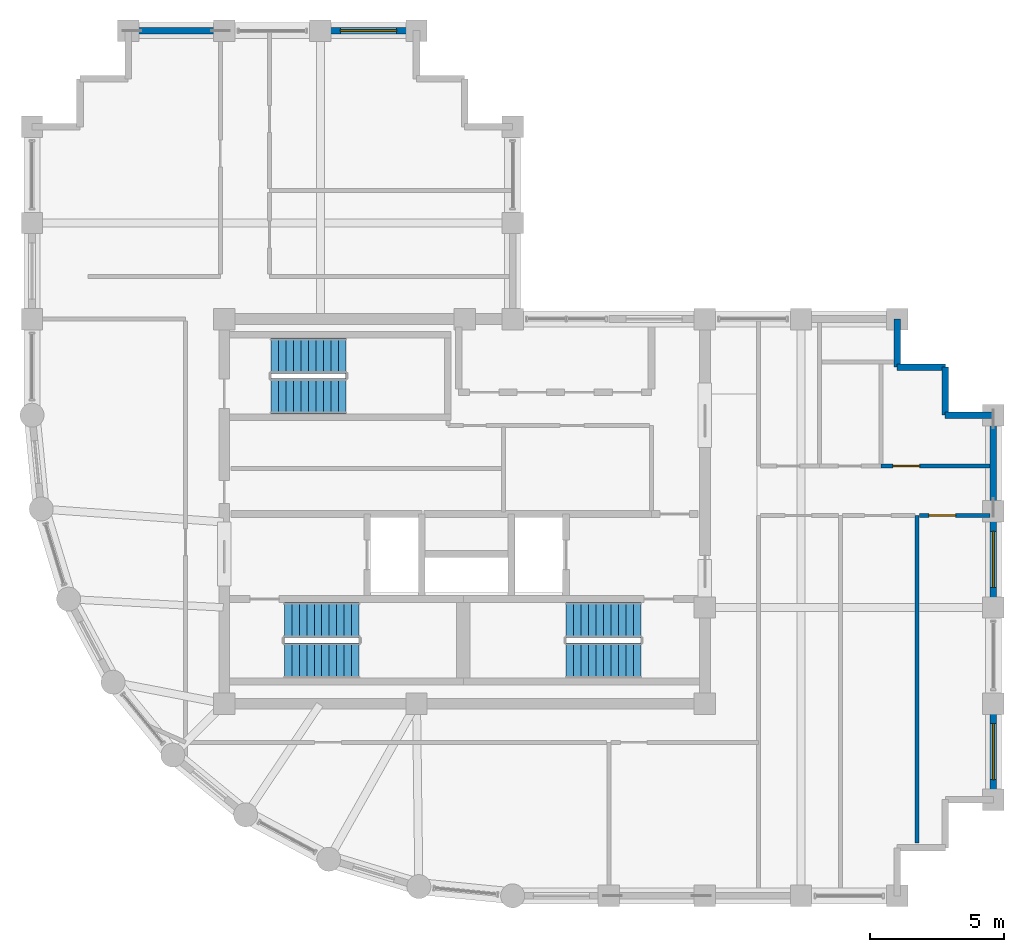
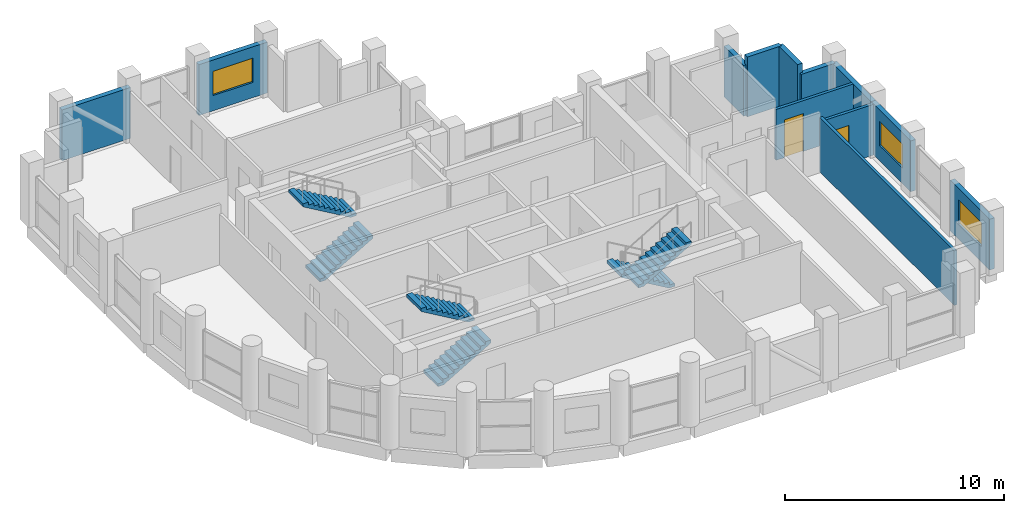
# One storey, part 16 of 17: 12 walls, 6 stair flights, 3 windows, 2 doors, 5 openings, 3 elements without a shape of their own.
"""IFC4 building model written with IfcOpenShell, lengths in metres."""

from ifc_helpers import new_model, si_unit, direction, frame, frame_2d, origin, place, context, subcontext, project, spatial, polyline, rectangle, outline, extrude, material, layer, layer_set, type_object, element, fill, aggregate, save


model = new_model("IFC4")

# Units and contexts
model_context = context("Model", 3, precision=1e-05, world=origin(), true_north=direction((0.0, 1.0)))
body_context = subcontext(model_context, "Body", "Model", "MODEL_VIEW")
ifc_project = project(units=[si_unit("LENGTHUNIT", "METRE"), si_unit("AREAUNIT", "SQUARE_METRE"), si_unit("VOLUMEUNIT", "CUBIC_METRE"), si_unit("PLANEANGLEUNIT", "RADIAN"), si_unit("MASSUNIT", "GRAM", prefix="KILO")], contexts=[model_context])

# Site, building, storey
site_placement = place(None, origin())
site = spatial("IfcSite", under=ifc_project, at=site_placement, CompositionType="ELEMENT")
building_placement = place(site_placement, origin())
building = spatial("IfcBuilding", under=site, at=building_placement, Name="Solnavia Interchange Tower", CompositionType="ELEMENT")
storey_placement = place(building_placement, frame((0.0, 0.0, 291.800048828125)))
storey = spatial("IfcBuildingStorey", under=building, at=storey_placement, Name="L74", CompositionType="ELEMENT", Elevation=291.800048828125)

# Wall, opening, window
ifc_material_1 = material(Name="Concrete C40/50", Category="concrete")
ifc_layer_1 = layer(ifc_material_1, 0.25)
ifc_layer_set_1 = layer_set([ifc_layer_1], Name="Concrete C40/50")
wall_type_1 = type_object("IfcWallType", Name="Wall-ExtSpandrel-250", PredefinedType="STANDARD", material=ifc_layer_set_1)
wall_1_placement = place(storey_placement, frame((43.199951171875, 10.800048828125, 0.0), z_axis=(0.0, 0.0, 1.0), x_axis=(0.0, -1.0, 0.0)))
wall_1 = element("IfcWall", 1, at=wall_1_placement, inside=storey, type_object=wall_type_1, Name="EXW-L74-09 Exterior precast spandrel wall", PredefinedType="STANDARD", context=body_context, shape_type="SweptSolid", body=[
    extrude(rectangle(XDim=3.60009765625, YDim=0.25, at=frame_2d((1.800048828125, 0.0))), origin(), (0.0, 0.0, 1.0), 2.829833984375),
])
opening_1_placement = place(wall_1_placement, frame((0.75, 0.0, 0.85009765625)))
opening_1 = element("IfcOpeningElement", 2, at=opening_1_placement, cuts=wall_1, Name="Opening WIN-01", PredefinedType="OPENING", context=body_context, shape_type="SweptSolid", body=[
    extrude(rectangle(XDim=2.10009765625, YDim=1.35009765625, at=frame_2d((1.050048828125, 0.675048828125))), frame((0.0, 0.135009765625, 0.0), z_axis=(0.0, -1.0, 0.0), x_axis=(1.0, 0.0, 0.0)), (0.0, 0.0, 1.0), 0.27001953125),
])
ifc_material_2 = material(Name="Thermal-Break Aluminium & Low-E Glass", Category="aluminium")
window_type = type_object("IfcWindowType", Name="Window-Ribbon-2100x1350", PartitioningType="SINGLE_PANEL", PredefinedType="WINDOW", material=ifc_material_2)
window_1_placement = place(opening_1_placement, origin())
window_1 = element("IfcWindow", 3, at=window_1_placement, inside=storey, type_object=window_type, Name="WIN-L74-09 Facade ribbon window", OverallHeight=1.35009765625, OverallWidth=2.10009765625, PartitioningType="SINGLE_PANEL", PredefinedType="WINDOW", context=body_context, shape_type="SweptSolid", body=[
    extrude(rectangle(XDim=2.10009765625, YDim=1.35009765625, at=frame_2d((1.050048828125, 0.675048828125))), frame((0.0, 0.030029296875, 0.0), z_axis=(0.0, -1.0, 0.0), x_axis=(1.0, 0.0, 0.0)), (0.0, 0.0, 1.0), 0.06005859375),
])
fill(opening_1, window_1)

wall_2_placement = place(storey_placement, frame((43.199951171875, 18.0, 0.0), z_axis=(0.0, 0.0, 1.0), x_axis=(0.0, -1.0, 0.0)))
wall_2 = element("IfcWall", 4, at=wall_2_placement, inside=storey, type_object=wall_type_1, Name="EXW-L74-11 Exterior precast spandrel wall", PredefinedType="STANDARD", context=body_context, shape_type="SweptSolid", body=[
    extrude(rectangle(XDim=3.60009765625, YDim=0.25, at=frame_2d((1.800048828125, 0.0))), origin(), (0.0, 0.0, 1.0), 2.829833984375),
])
opening_2_placement = place(wall_2_placement, frame((0.75, 0.0, 0.85009765625)))
opening_2 = element("IfcOpeningElement", 5, at=opening_2_placement, cuts=wall_2, Name="Opening WIN-01", PredefinedType="OPENING", context=body_context, shape_type="SweptSolid", body=[
    extrude(rectangle(XDim=2.10009765625, YDim=1.35009765625, at=frame_2d((1.050048828125, 0.675048828125))), frame((0.0, 0.135009765625, 0.0), z_axis=(0.0, -1.0, 0.0), x_axis=(1.0, 0.0, 0.0)), (0.0, 0.0, 1.0), 0.27001953125),
])
window_2_placement = place(opening_2_placement, origin())
window_2 = element("IfcWindow", 6, at=window_2_placement, inside=storey, type_object=window_type, Name="WIN-L74-11 Facade ribbon window", OverallHeight=1.35009765625, OverallWidth=2.10009765625, PartitioningType="SINGLE_PANEL", PredefinedType="WINDOW", context=body_context, shape_type="SweptSolid", body=[
    extrude(rectangle(XDim=2.10009765625, YDim=1.35009765625, at=frame_2d((1.050048828125, 0.675048828125))), frame((0.0, 0.030029296875, 0.0), z_axis=(0.0, -1.0, 0.0), x_axis=(1.0, 0.0, 0.0)), (0.0, 0.0, 1.0), 0.06005859375),
])
fill(opening_2, window_2)

# Walls
wall_3_placement = place(storey_placement, frame((43.199951171875, 21.60009765625, 0.0), z_axis=(0.0, 0.0, 1.0), x_axis=(0.0, -1.0, 0.0)))
element("IfcWall", 7, at=wall_3_placement, inside=storey, type_object=wall_type_1, Name="EXW-L74-12 Exterior precast spandrel wall", PredefinedType="STANDARD", context=body_context, shape_type="SweptSolid", body=[
    extrude(rectangle(XDim=3.60009765625, YDim=0.25, at=frame_2d((1.800048828125, 0.0))), origin(), (0.0, 0.0, 1.0), 2.829833984375),
])
wall_4_placement = place(storey_placement, frame((41.39990234375, 21.60009765625, 0.0), z_axis=(0.0, 0.0, 1.0), x_axis=(1.0, 0.0, 0.0)))
element("IfcWall", 8, at=wall_4_placement, inside=storey, type_object=wall_type_1, Name="EXW-L74-13 Exterior precast spandrel wall", PredefinedType="STANDARD", context=body_context, shape_type="SweptSolid", body=[
    extrude(rectangle(XDim=1.800048828125, YDim=0.25, at=frame_2d((0.89990234375, 0.0))), origin(), (0.0, 0.0, 1.0), 2.829833984375),
])
for number, where, z_axis, x_axis, name in (
    (9, (41.39990234375, 23.39990234375, 0.0), (0.0, 0.0, 1.0), (0.0, -1.0, 0.0), "EXW-L74-14 Exterior precast spandrel wall"),
    (10, (39.60009765625, 23.39990234375, 0.0), (0.0, 0.0, 1.0), (1.0, 0.0, 0.0), "EXW-L74-15 Exterior precast spandrel wall"),
):
    element("IfcWall", number, at=place(storey_placement, frame(where, z_axis=z_axis, x_axis=x_axis)), inside=storey, type_object=wall_type_1, Name=name, PredefinedType="STANDARD", context=body_context, shape_type="SweptSolid", body=[
        extrude(rectangle(XDim=1.7998046875, YDim=0.25, at=frame_2d((0.89990234375, 0.0))), origin(), (0.0, 0.0, 1.0), 3.3349609375),
    ])
wall_5_placement = place(storey_placement, frame((39.60009765625, 25.199951171875, 0.0), z_axis=(0.0, 0.0, 1.0), x_axis=(0.0, -1.0, 0.0)))
element("IfcWall", 11, at=wall_5_placement, inside=storey, type_object=wall_type_1, Name="EXW-L74-16 Exterior precast spandrel wall", PredefinedType="STANDARD", context=body_context, shape_type="SweptSolid", body=[
    extrude(rectangle(XDim=1.800048828125, YDim=0.25, at=frame_2d((0.89990234375, 0.0))), origin(), (0.0, 0.0, 1.0), 2.829833984375),
])

# Wall, opening, window
wall_6_placement = place(storey_placement, frame((18.0, 36.0, 0.0), z_axis=(0.0, 0.0, 1.0), x_axis=(1.0, 0.0, 0.0)))
wall_6 = element("IfcWall", 12, at=wall_6_placement, inside=storey, type_object=wall_type_1, Name="EXW-L74-27 Exterior precast spandrel wall", PredefinedType="STANDARD", context=body_context, shape_type="SweptSolid", body=[
    extrude(rectangle(XDim=3.60009765625, YDim=0.25, at=frame_2d((1.800048828125, 0.0))), origin(), (0.0, 0.0, 1.0), 2.829833984375),
])
opening_3_placement = place(wall_6_placement, frame((0.75, 0.0, 0.85009765625)))
opening_3 = element("IfcOpeningElement", 13, at=opening_3_placement, cuts=wall_6, Name="Opening WIN-01", PredefinedType="OPENING", context=body_context, shape_type="SweptSolid", body=[
    extrude(rectangle(XDim=2.10009765625, YDim=1.35009765625, at=frame_2d((1.050048828125, 0.675048828125))), frame((0.0, 0.135009765625, 0.0), z_axis=(0.0, -1.0, 0.0), x_axis=(1.0, 0.0, 0.0)), (0.0, 0.0, 1.0), 0.27001953125),
])
window_3_placement = place(opening_3_placement, origin())
window_3 = element("IfcWindow", 14, at=window_3_placement, inside=storey, type_object=window_type, Name="WIN-L74-27 Facade ribbon window", OverallHeight=1.35009765625, OverallWidth=2.10009765625, PartitioningType="SINGLE_PANEL", PredefinedType="WINDOW", context=body_context, shape_type="SweptSolid", body=[
    extrude(rectangle(XDim=2.10009765625, YDim=1.35009765625, at=frame_2d((1.050048828125, 0.675048828125))), frame((0.0, 0.030029296875, 0.0), z_axis=(0.0, -1.0, 0.0), x_axis=(1.0, 0.0, 0.0)), (0.0, 0.0, 1.0), 0.06005859375),
])
fill(opening_3, window_3)

# Walls
wall_7_placement = place(storey_placement, frame((10.800048828125, 36.0, 0.0), z_axis=(0.0, 0.0, 1.0), x_axis=(1.0, 0.0, 0.0)))
element("IfcWall", 15, at=wall_7_placement, inside=storey, type_object=wall_type_1, Name="EXW-L74-29 Exterior precast spandrel wall", PredefinedType="STANDARD", context=body_context, shape_type="SweptSolid", body=[
    extrude(rectangle(XDim=3.599853515625, YDim=0.25, at=frame_2d((1.7998046875, 0.0))), origin(), (0.0, 0.0, 1.0), 2.829833984375),
])
ifc_material_3 = material(Name="Gypsum Plasterboard & Steel Stud", Category="steel")
ifc_layer_2 = layer(ifc_material_3, 0.14990234375)
ifc_layer_set_2 = layer_set([ifc_layer_2], Name="Gypsum Plasterboard & Steel Stud")
wall_type_2 = type_object("IfcWallType", Name="Wall-Partition-150", PredefinedType="PARTITIONING", material=ifc_layer_set_2)
wall_8_placement = place(storey_placement, frame((40.35009765625, 5.580078125, 0.0), z_axis=(0.0, 0.0, 1.0), x_axis=(0.0, 1.0, 0.0)))
element("IfcWall", 16, at=wall_8_placement, inside=storey, type_object=wall_type_2, Name="PTW-L74-16 Interior partition wall", PredefinedType="PARTITIONING", context=body_context, shape_type="SweptSolid", body=[
    extrude(rectangle(XDim=12.27001953125, YDim=0.14990234375, at=frame_2d((6.135009765625, 0.0))), origin(), (0.0, 0.0, 1.0), 3.030029296875),
])

# Wall, opening, door
wall_9_placement = place(storey_placement, frame((40.428955078125, 17.85009765625, 0.0), z_axis=(0.0, 0.0, 1.0), x_axis=(1.0, 0.0, 0.0)))
wall_9 = element("IfcWall", 17, at=wall_9_placement, inside=storey, type_object=wall_type_2, Name="PTW-L74-18 Interior partition wall", PredefinedType="PARTITIONING", context=body_context, shape_type="SweptSolid", body=[
    extrude(rectangle(XDim=2.64208984375, YDim=0.14990234375, at=frame_2d((1.321044921875, 0.0))), origin(), (0.0, 0.0, 1.0), 2.829833984375),
])
opening_4_placement = place(wall_9_placement, frame((0.35595703125, 0.0, 0.0)))
opening_4 = element("IfcOpeningElement", 18, at=opening_4_placement, cuts=wall_9, Name="Opening DR-07", PredefinedType="OPENING", context=body_context, shape_type="SweptSolid", body=[
    extrude(rectangle(XDim=1.0, YDim=2.10009765625, at=frame_2d((0.5, 1.050048828125))), frame((0.0, 0.0849609375, 0.0), z_axis=(0.0, -1.0, 0.0), x_axis=(1.0, 0.0, 0.0)), (0.0, 0.0, 1.0), 0.169921875),
])
ifc_material_4 = material(Name="Timber & Acoustic Glazed Office Door", Category="wood")
door_type = type_object("IfcDoorType", Name="Door-Office-1000x2100", OperationType="SINGLE_SWING_RIGHT", PredefinedType="DOOR", material=ifc_material_4)
door_1_placement = place(opening_4_placement, origin())
door_1 = element("IfcDoor", 19, at=door_1_placement, inside=storey, type_object=door_type, Name="DR-L74-08 Interior room door", OperationType="SINGLE_SWING_LEFT", OverallHeight=2.10009765625, OverallWidth=1.0, PredefinedType="DOOR", context=body_context, shape_type="SweptSolid", body=[
    extrude(rectangle(XDim=1.0, YDim=2.10009765625, at=frame_2d((0.5, 1.050048828125))), frame((0.0, 0.02490234375, 0.0), z_axis=(0.0, -1.0, 0.0), x_axis=(1.0, 0.0, 0.0)), (0.0, 0.0, 1.0), 0.050048828125),
])
fill(opening_4, door_1)

wall_10_placement = place(storey_placement, frame((39.0, 19.699951171875, 0.0), z_axis=(0.0, 0.0, 1.0), x_axis=(1.0, 0.0, 0.0)))
wall_10 = element("IfcWall", 20, at=wall_10_placement, inside=storey, type_object=wall_type_2, Name="PTW-L74-19 Interior partition wall", PredefinedType="PARTITIONING", context=body_context, shape_type="SweptSolid", body=[
    extrude(rectangle(XDim=4.071044921875, YDim=0.14990234375, at=frame_2d((2.03564453125, 0.0))), origin(), (0.0, 0.0, 1.0), 2.829833984375),
])
opening_5_placement = place(wall_10_placement, frame((0.43798828125, 0.0, 0.0)))
opening_5 = element("IfcOpeningElement", 21, at=opening_5_placement, cuts=wall_10, Name="Opening DR-07", PredefinedType="OPENING", context=body_context, shape_type="SweptSolid", body=[
    extrude(rectangle(XDim=1.0, YDim=2.10009765625, at=frame_2d((0.5, 1.050048828125))), frame((0.0, 0.0849609375, 0.0), z_axis=(0.0, -1.0, 0.0), x_axis=(1.0, 0.0, 0.0)), (0.0, 0.0, 1.0), 0.169921875),
])
door_2_placement = place(opening_5_placement, origin())
door_2 = element("IfcDoor", 22, at=door_2_placement, inside=storey, type_object=door_type, Name="DR-L74-09 Interior room door", OperationType="SINGLE_SWING_RIGHT", OverallHeight=2.10009765625, OverallWidth=1.0, PredefinedType="DOOR", context=body_context, shape_type="SweptSolid", body=[
    extrude(rectangle(XDim=1.0, YDim=2.10009765625, at=frame_2d((0.5, 1.050048828125))), frame((0.0, 0.02490234375, 0.0), z_axis=(0.0, -1.0, 0.0), x_axis=(1.0, 0.0, 0.0)), (0.0, 0.0, 1.0), 0.050048828125),
])
fill(opening_5, door_2)

# Stair, stair flights
stair_type = type_object("IfcStairType", Name="Stair-Dogleg-RC", PredefinedType="HALF_TURN_STAIR", material=ifc_material_1)
stair_1_placement = place(storey_placement, origin())
stair_1 = element("IfcStair", 23, at=stair_1_placement, inside=storey, type_object=stair_type, Name="L74 Core exit stair 1", PredefinedType="HALF_TURN_STAIR")
stair_flight_type = type_object("IfcStairFlightType", Name="StairFlight-RC-150", PredefinedType="STRAIGHT", material=ifc_material_1)
stair_flight_1_placement = place(storey_placement, frame((16.64990234375, 12.409912109375, 0.0), z_axis=(0.0, 0.0, 1.0), x_axis=(1.0, 0.0, 0.0)))
stair_flight_1 = element("IfcStairFlight", 24, at=stair_flight_1_placement, type_object=stair_flight_type, Name="ST-1 flight 1", NumberOfRisers=11, NumberOfTreads=10, PredefinedType="STRAIGHT", RiserHeight=0.163636364, TreadLength=0.28, context=body_context, shape_type="SweptSolid", body=[
    extrude(outline(polyline([(0.0, 0.0), (0.0, 0.16357421875), (0.280029296875, 0.16357421875), (0.280029296875, 0.327392578125), (0.56005859375, 0.327392578125), (0.56005859375, 0.490966796875), (0.840087890625, 0.490966796875), (0.840087890625, 0.654541015625), (1.1201171875, 0.654541015625), (1.1201171875, 0.818115234375), (1.39990234375, 0.818115234375), (1.39990234375, 0.98193359375), (1.679931640625, 0.98193359375), (1.679931640625, 1.1455078125), (1.9599609375, 1.1455078125), (1.9599609375, 1.30908203125), (2.239990234375, 1.30908203125), (2.239990234375, 1.47265625), (2.52001953125, 1.47265625), (2.52001953125, 1.636474609375), (2.800048828125, 1.636474609375), (2.800048828125, 1.800048828125), (2.800048828125, 1.462646484375), (0.297119140625, 0.0), (0.0, 0.0)])), frame((0.0, 0.66015625, 0.0), z_axis=(0.0, -1.0, 0.0), x_axis=(1.0, 0.0, 0.0)), (0.0, 0.0, 1.0), 1.320068359375),
])
stair_flight_2_placement = place(storey_placement, frame((19.449951171875, 13.929931640625, 1.800048828125), z_axis=(0.0, 0.0, 1.0), x_axis=(-1.0, 0.0, 0.0)))
stair_flight_2 = element("IfcStairFlight", 25, at=stair_flight_2_placement, type_object=stair_flight_type, Name="ST-1 flight 2", NumberOfRisers=11, NumberOfTreads=10, PredefinedType="STRAIGHT", RiserHeight=0.163636364, TreadLength=0.28, context=body_context, shape_type="SweptSolid", body=[
    extrude(outline(polyline([(0.0, 0.0), (0.0, 0.16357421875), (0.280029296875, 0.16357421875), (0.280029296875, 0.327392578125), (0.56005859375, 0.327392578125), (0.56005859375, 0.490966796875), (0.840087890625, 0.490966796875), (0.840087890625, 0.654541015625), (1.1201171875, 0.654541015625), (1.1201171875, 0.818115234375), (1.39990234375, 0.818115234375), (1.39990234375, 0.98193359375), (1.679931640625, 0.98193359375), (1.679931640625, 1.1455078125), (1.9599609375, 1.1455078125), (1.9599609375, 1.30908203125), (2.239990234375, 1.30908203125), (2.239990234375, 1.47265625), (2.52001953125, 1.47265625), (2.52001953125, 1.636474609375), (2.800048828125, 1.636474609375), (2.800048828125, 1.800048828125), (2.800048828125, 1.462646484375), (0.297119140625, 0.0), (0.0, 0.0)])), frame((0.0, 0.66015625, 0.0), z_axis=(0.0, -1.0, 0.0), x_axis=(1.0, 0.0, 0.0)), (0.0, 0.0, 1.0), 1.320068359375),
])
aggregate(stair_1, [stair_flight_1, stair_flight_2])

stair_2_placement = place(storey_placement, origin())
stair_2 = element("IfcStair", 26, at=stair_2_placement, inside=storey, type_object=stair_type, Name="L74 Core exit stair 2", PredefinedType="HALF_TURN_STAIR")
stair_flight_3_placement = place(storey_placement, frame((30.0, 13.929931640625, 0.0), z_axis=(0.0, 0.0, 1.0), x_axis=(-1.0, 0.0, 0.0)))
stair_flight_3 = element("IfcStairFlight", 27, at=stair_flight_3_placement, type_object=stair_flight_type, Name="ST-2 flight 1", NumberOfRisers=11, NumberOfTreads=10, PredefinedType="STRAIGHT", RiserHeight=0.163636364, TreadLength=0.28, context=body_context, shape_type="SweptSolid", body=[
    extrude(outline(polyline([(0.0, 0.0), (0.0, 0.16357421875), (0.280029296875, 0.16357421875), (0.280029296875, 0.327392578125), (0.56005859375, 0.327392578125), (0.56005859375, 0.490966796875), (0.840087890625, 0.490966796875), (0.840087890625, 0.654541015625), (1.1201171875, 0.654541015625), (1.1201171875, 0.818115234375), (1.39990234375, 0.818115234375), (1.39990234375, 0.98193359375), (1.679931640625, 0.98193359375), (1.679931640625, 1.1455078125), (1.9599609375, 1.1455078125), (1.9599609375, 1.30908203125), (2.239990234375, 1.30908203125), (2.239990234375, 1.47265625), (2.52001953125, 1.47265625), (2.52001953125, 1.636474609375), (2.800048828125, 1.636474609375), (2.800048828125, 1.800048828125), (2.800048828125, 1.462646484375), (0.297119140625, 0.0), (0.0, 0.0)])), frame((0.0, 0.66015625, 0.0), z_axis=(0.0, -1.0, 0.0), x_axis=(1.0, 0.0, 0.0)), (0.0, 0.0, 1.0), 1.320068359375),
])
stair_flight_4_placement = place(storey_placement, frame((27.199951171875, 12.409912109375, 1.800048828125), z_axis=(0.0, 0.0, 1.0), x_axis=(1.0, 0.0, 0.0)))
stair_flight_4 = element("IfcStairFlight", 28, at=stair_flight_4_placement, type_object=stair_flight_type, Name="ST-2 flight 2", NumberOfRisers=11, NumberOfTreads=10, PredefinedType="STRAIGHT", RiserHeight=0.163636364, TreadLength=0.28, context=body_context, shape_type="SweptSolid", body=[
    extrude(outline(polyline([(0.0, 0.0), (0.0, 0.16357421875), (0.280029296875, 0.16357421875), (0.280029296875, 0.327392578125), (0.56005859375, 0.327392578125), (0.56005859375, 0.490966796875), (0.840087890625, 0.490966796875), (0.840087890625, 0.654541015625), (1.1201171875, 0.654541015625), (1.1201171875, 0.818115234375), (1.39990234375, 0.818115234375), (1.39990234375, 0.98193359375), (1.679931640625, 0.98193359375), (1.679931640625, 1.1455078125), (1.9599609375, 1.1455078125), (1.9599609375, 1.30908203125), (2.239990234375, 1.30908203125), (2.239990234375, 1.47265625), (2.52001953125, 1.47265625), (2.52001953125, 1.636474609375), (2.800048828125, 1.636474609375), (2.800048828125, 1.800048828125), (2.800048828125, 1.462646484375), (0.297119140625, 0.0), (0.0, 0.0)])), frame((0.0, 0.66015625, 0.0), z_axis=(0.0, -1.0, 0.0), x_axis=(1.0, 0.0, 0.0)), (0.0, 0.0, 1.0), 1.320068359375),
])
aggregate(stair_2, [stair_flight_3, stair_flight_4])

stair_3_placement = place(storey_placement, origin())
stair_3 = element("IfcStair", 29, at=stair_3_placement, inside=storey, type_object=stair_type, Name="L74 Core exit stair 3", PredefinedType="HALF_TURN_STAIR")
stair_flight_5_placement = place(storey_placement, frame((16.14990234375, 22.31005859375, 0.0), z_axis=(0.0, 0.0, 1.0), x_axis=(1.0, 0.0, 0.0)))
stair_flight_5 = element("IfcStairFlight", 30, at=stair_flight_5_placement, type_object=stair_flight_type, Name="ST-3 flight 1", NumberOfRisers=11, NumberOfTreads=10, PredefinedType="STRAIGHT", RiserHeight=0.163636364, TreadLength=0.28, context=body_context, shape_type="SweptSolid", body=[
    extrude(outline(polyline([(0.0, 0.0), (0.0, 0.16357421875), (0.280029296875, 0.16357421875), (0.280029296875, 0.327392578125), (0.56005859375, 0.327392578125), (0.56005859375, 0.490966796875), (0.840087890625, 0.490966796875), (0.840087890625, 0.654541015625), (1.1201171875, 0.654541015625), (1.1201171875, 0.818115234375), (1.39990234375, 0.818115234375), (1.39990234375, 0.98193359375), (1.679931640625, 0.98193359375), (1.679931640625, 1.1455078125), (1.9599609375, 1.1455078125), (1.9599609375, 1.30908203125), (2.239990234375, 1.30908203125), (2.239990234375, 1.47265625), (2.52001953125, 1.47265625), (2.52001953125, 1.636474609375), (2.800048828125, 1.636474609375), (2.800048828125, 1.800048828125), (2.800048828125, 1.462646484375), (0.297119140625, 0.0), (0.0, 0.0)])), frame((0.0, 0.66015625, 0.0), z_axis=(0.0, -1.0, 0.0), x_axis=(1.0, 0.0, 0.0)), (0.0, 0.0, 1.0), 1.320068359375),
])
stair_flight_6_placement = place(storey_placement, frame((18.949951171875, 23.830078125, 1.800048828125), z_axis=(0.0, 0.0, 1.0), x_axis=(-1.0, 0.0, 0.0)))
stair_flight_6 = element("IfcStairFlight", 31, at=stair_flight_6_placement, type_object=stair_flight_type, Name="ST-3 flight 2", NumberOfRisers=11, NumberOfTreads=10, PredefinedType="STRAIGHT", RiserHeight=0.163636364, TreadLength=0.28, context=body_context, shape_type="SweptSolid", body=[
    extrude(outline(polyline([(0.0, 0.0), (0.0, 0.16357421875), (0.280029296875, 0.16357421875), (0.280029296875, 0.327392578125), (0.56005859375, 0.327392578125), (0.56005859375, 0.490966796875), (0.840087890625, 0.490966796875), (0.840087890625, 0.654541015625), (1.1201171875, 0.654541015625), (1.1201171875, 0.818115234375), (1.39990234375, 0.818115234375), (1.39990234375, 0.98193359375), (1.679931640625, 0.98193359375), (1.679931640625, 1.1455078125), (1.9599609375, 1.1455078125), (1.9599609375, 1.30908203125), (2.239990234375, 1.30908203125), (2.239990234375, 1.47265625), (2.52001953125, 1.47265625), (2.52001953125, 1.636474609375), (2.800048828125, 1.636474609375), (2.800048828125, 1.800048828125), (2.800048828125, 1.462646484375), (0.297119140625, 0.0), (0.0, 0.0)])), frame((0.0, 0.66015625, 0.0), z_axis=(0.0, -1.0, 0.0), x_axis=(1.0, 0.0, 0.0)), (0.0, 0.0, 1.0), 1.320068359375),
])
aggregate(stair_3, [stair_flight_5, stair_flight_6])

save(model, "model.ifc")
